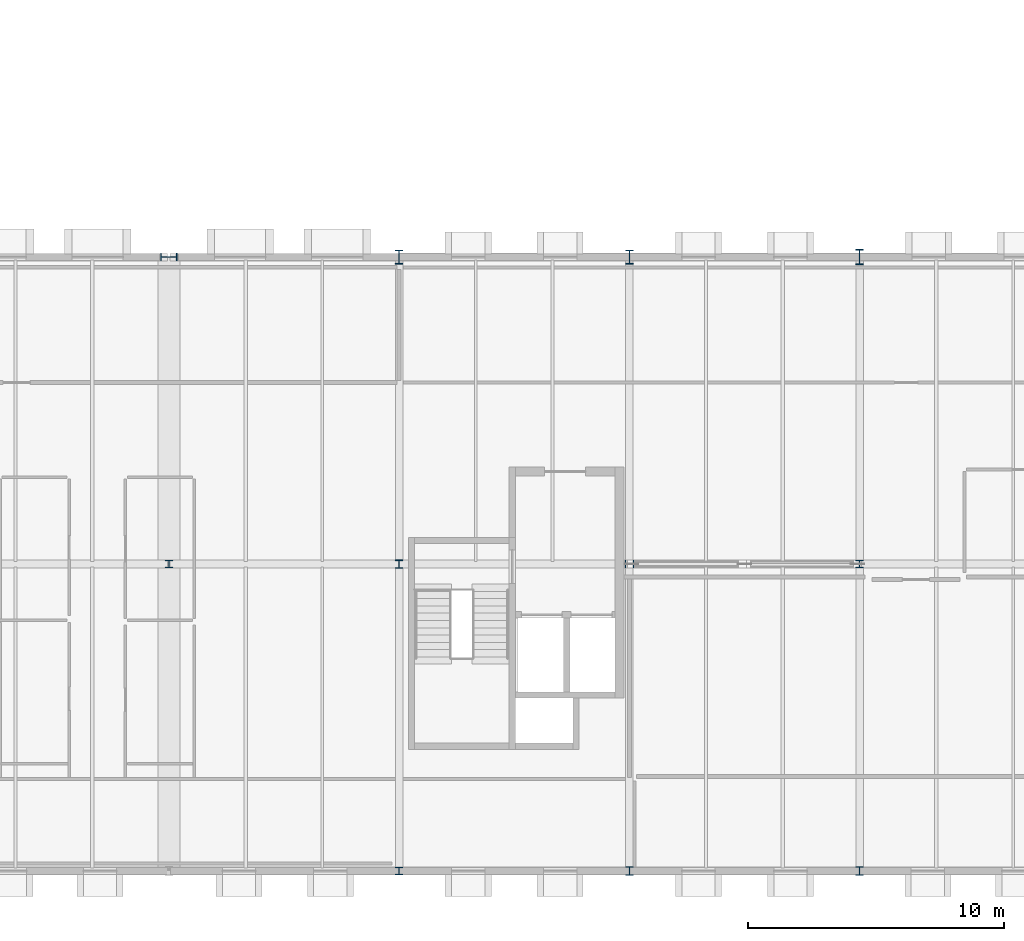
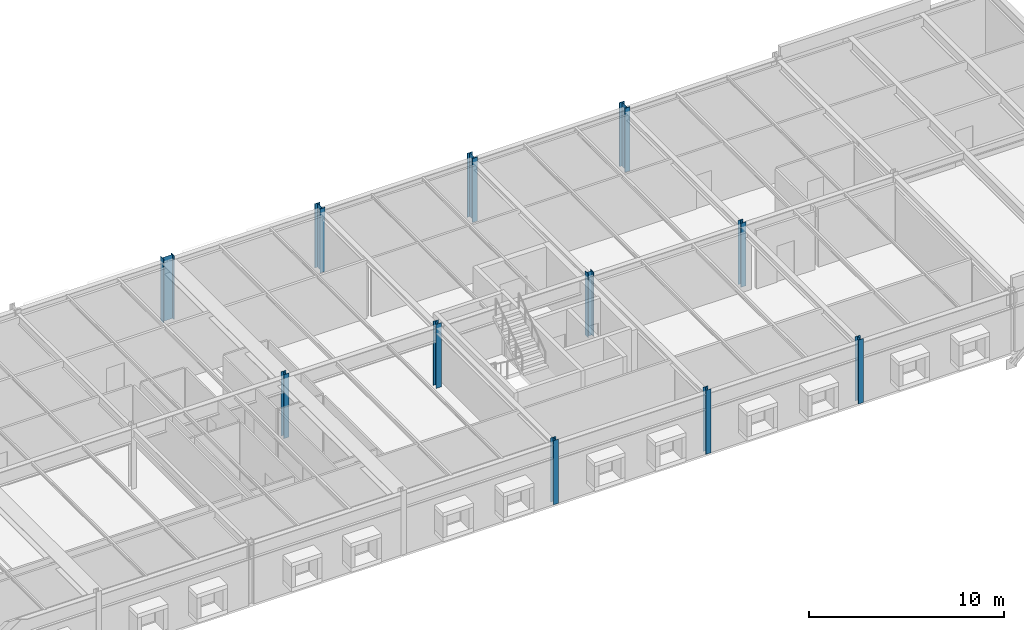
# One storey, part 3 of 36: 11 columns.
"""IFC4 building model written with IfcOpenShell, lengths in metres."""

from ifc_helpers import new_model, si_unit, direction, frame, origin, origin_2d, place, context, subcontext, project, spatial, i_section, extrude, material, material_profile, profile_set, type_object, element, save


model = new_model("IFC4")

# Units and contexts
model_context = context("Model", 3, precision=1e-05, world=origin(), true_north=direction((0.0, 1.0)))
body_context = subcontext(model_context, "Body", "Model", "MODEL_VIEW")
ifc_project = project(units=[si_unit("LENGTHUNIT", "METRE"), si_unit("AREAUNIT", "SQUARE_METRE"), si_unit("VOLUMEUNIT", "CUBIC_METRE"), si_unit("PLANEANGLEUNIT", "RADIAN"), si_unit("MASSUNIT", "GRAM", prefix="KILO")], contexts=[model_context])

# Site, building, storey
site_placement = place(None, origin())
site = spatial("IfcSite", under=ifc_project, at=site_placement, CompositionType="ELEMENT")
building_placement = place(site_placement, origin())
building = spatial("IfcBuilding", under=site, at=building_placement, Name="Montelvaro Courts of Justice", CompositionType="ELEMENT")
storey_placement = place(building_placement, frame((0.0, 0.0, 23.39990234375)))
storey = spatial("IfcBuildingStorey", under=building, at=storey_placement, Name="L05", CompositionType="ELEMENT", Elevation=23.39990234375)

# Columns
ifc_material = material(Name="Steel S355", Category="steel")
ifc_material_profile_1 = material_profile(ifc_material, i_section(OverallWidth=0.300048828125, OverallDepth=0.300048828125, WebThickness=0.010986328125, FlangeThickness=0.01904296875, at=origin_2d()), Name="HEB 300")
ifc_profile_set_1 = profile_set([ifc_material_profile_1], Name="Steel S355")
column_type_1 = type_object("IfcColumnType", Name="Col_HEB300", PredefinedType="COLUMN", material=ifc_profile_set_1)
for number, where, z_axis, x_axis, name in (
    (1, (99.0, 12.0, 0.0), (0.0, 0.0, 1.0), (1.0, 0.0, 0.0), "Column C-03 L05 12/B"),
    (2, (108.0, 0.0, 0.0), (0.0, 0.0, 1.0), (1.0, 0.0, 0.0), "Column C-03 L05 13/A"),
    (3, (126.0, 12.0, 0.0), (0.0, 0.0, 1.0), (1.0, 0.0, 0.0), "Column C-03 L05 15/B"),
):
    element("IfcColumn", number, at=place(storey_placement, frame(where, z_axis=z_axis, x_axis=x_axis)), inside=storey, type_object=column_type_1, Name=name, PredefinedType="COLUMN", context=body_context, shape_type="SweptSolid", body=[
        extrude(i_section(OverallWidth=0.300048828125, OverallDepth=0.300048828125, WebThickness=0.010986328125, FlangeThickness=0.01904296875, at=origin_2d()), origin(), (0.0, 0.0, 1.0), 4.0),
    ])
ifc_material_profile_2 = material_profile(ifc_material, i_section(OverallWidth=0.300048828125, OverallDepth=0.320068359375, WebThickness=0.011474609375, FlangeThickness=0.0205078125, at=origin_2d()), Name="HEB 320")
ifc_profile_set_2 = profile_set([ifc_material_profile_2], Name="Steel S355")
column_type_2 = type_object("IfcColumnType", Name="Col_HEB320", PredefinedType="COLUMN", material=ifc_profile_set_2)
for number, where, z_axis, x_axis, name in (
    (4, (108.0, 12.0, 0.0), (0.0, 0.0, 1.0), (1.0, 0.0, 0.0), "Column C-04 L05 13/B"),
    (5, (117.0, 0.0, 0.0), (0.0, 0.0, 1.0), (1.0, 0.0, 0.0), "Column C-04 L05 14/A"),
):
    element("IfcColumn", number, at=place(storey_placement, frame(where, z_axis=z_axis, x_axis=x_axis)), inside=storey, type_object=column_type_2, Name=name, PredefinedType="COLUMN", context=body_context, shape_type="SweptSolid", body=[
        extrude(i_section(OverallWidth=0.300048828125, OverallDepth=0.320068359375, WebThickness=0.011474609375, FlangeThickness=0.0205078125, at=origin_2d()), origin(), (0.0, 0.0, 1.0), 4.0),
    ])
ifc_material_profile_3 = material_profile(ifc_material, i_section(OverallWidth=0.300048828125, OverallDepth=0.340087890625, WebThickness=0.011962890625, FlangeThickness=0.021484375, at=origin_2d()), Name="HEB 340")
ifc_profile_set_3 = profile_set([ifc_material_profile_3], Name="Steel S355")
column_type_3 = type_object("IfcColumnType", Name="Col_HEB340", PredefinedType="COLUMN", material=ifc_profile_set_3)
for number, where, z_axis, x_axis, name in (
    (6, (117.0, 12.0, 0.0), (0.0, 0.0, 1.0), (0.0, 1.0, 0.0), "Column C-05 L05 14/B"),
    (7, (126.0, 0.0, 0.0), (0.0, 0.0, 1.0), (1.0, 0.0, 0.0), "Column C-05 L05 15/A"),
):
    element("IfcColumn", number, at=place(storey_placement, frame(where, z_axis=z_axis, x_axis=x_axis)), inside=storey, type_object=column_type_3, Name=name, PredefinedType="COLUMN", context=body_context, shape_type="SweptSolid", body=[
        extrude(i_section(OverallWidth=0.300048828125, OverallDepth=0.340087890625, WebThickness=0.011962890625, FlangeThickness=0.021484375, at=origin_2d()), origin(), (0.0, 0.0, 1.0), 4.0),
    ])
ifc_material_profile_4 = material_profile(ifc_material, i_section(OverallWidth=0.300048828125, OverallDepth=0.550048828125, WebThickness=0.014892578125, FlangeThickness=0.029052734375, at=origin_2d()), Name="HEB 550")
ifc_profile_set_4 = profile_set([ifc_material_profile_4], Name="Steel S355")
column_type_4 = type_object("IfcColumnType", Name="Col_HEB550", PredefinedType="COLUMN", material=ifc_profile_set_4)
for number, where, z_axis, x_axis, name in (
    (8, (108.0, 24.0, 0.0), (0.0, 0.0, 1.0), (1.0, 0.0, 0.0), "Column C-10 L05 13/C"),
    (9, (117.0, 24.0, 0.0), (0.0, 0.0, 1.0), (1.0, 0.0, 0.0), "Column C-10 L05 14/C"),
):
    element("IfcColumn", number, at=place(storey_placement, frame(where, z_axis=z_axis, x_axis=x_axis)), inside=storey, type_object=column_type_4, Name=name, PredefinedType="COLUMN", context=body_context, shape_type="SweptSolid", body=[
        extrude(i_section(OverallWidth=0.300048828125, OverallDepth=0.550048828125, WebThickness=0.014892578125, FlangeThickness=0.029052734375, at=origin_2d()), origin(), (0.0, 0.0, 1.0), 4.0),
    ])
ifc_material_profile_5 = material_profile(ifc_material, i_section(OverallWidth=0.300048828125, OverallDepth=0.60009765625, WebThickness=0.015380859375, FlangeThickness=0.030029296875, at=origin_2d()), Name="HEB 600")
ifc_profile_set_5 = profile_set([ifc_material_profile_5], Name="Steel S355")
column_type_5 = type_object("IfcColumnType", Name="Col_HEB600", PredefinedType="COLUMN", material=ifc_profile_set_5)
column_1_placement = place(storey_placement, frame((126.0, 24.0, 0.0), z_axis=(0.0, 0.0, 1.0), x_axis=(1.0, 0.0, 0.0)))
element("IfcColumn", 10, at=column_1_placement, inside=storey, type_object=column_type_5, Name="Column C-11 L05 15/C", PredefinedType="COLUMN", context=body_context, shape_type="SweptSolid", body=[
    extrude(i_section(OverallWidth=0.300048828125, OverallDepth=0.60009765625, WebThickness=0.015380859375, FlangeThickness=0.030029296875, at=origin_2d()), origin(), (0.0, 0.0, 1.0), 4.0),
])
ifc_material_profile_6 = material_profile(ifc_material, i_section(OverallWidth=0.300048828125, OverallDepth=0.64990234375, WebThickness=0.01611328125, FlangeThickness=0.031005859375, at=origin_2d()), Name="HEB 650")
ifc_profile_set_6 = profile_set([ifc_material_profile_6], Name="Steel S355")
column_type_6 = type_object("IfcColumnType", Name="Col_HEB650", PredefinedType="COLUMN", material=ifc_profile_set_6)
column_2_placement = place(storey_placement, frame((99.0, 24.0, 0.0), z_axis=(0.0, 0.0, 1.0), x_axis=(0.0, 1.0, 0.0)))
element("IfcColumn", 11, at=column_2_placement, inside=storey, type_object=column_type_6, Name="Column C-12 L05 12/C", PredefinedType="COLUMN", context=body_context, shape_type="SweptSolid", body=[
    extrude(i_section(OverallWidth=0.300048828125, OverallDepth=0.64990234375, WebThickness=0.01611328125, FlangeThickness=0.031005859375, at=origin_2d()), origin(), (0.0, 0.0, 1.0), 4.0),
])

save(model, "model.ifc")
